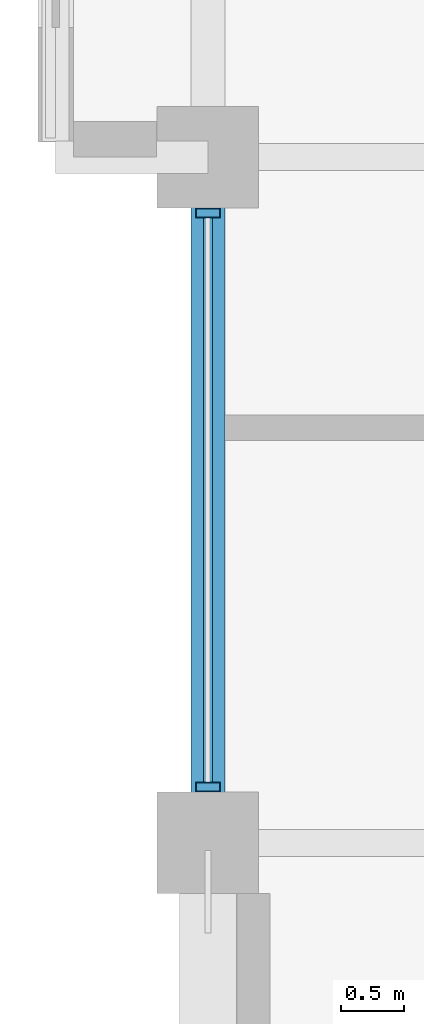
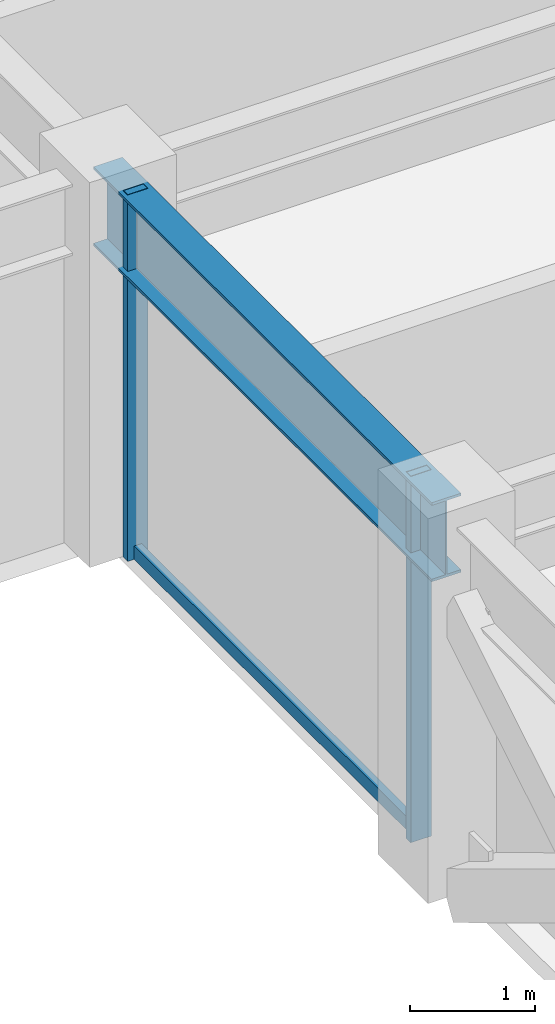
# One storey, part 4 of 30: 3 members, 1 beam, 1 element without a shape of its own.
"""IFC4 building model written with IfcOpenShell, lengths in metres."""

from ifc_helpers import new_model, si_unit, direction, frame, origin, origin_2d, place, context, subcontext, project, spatial, hollow_rectangle, i_section, extrude, material, layer, layer_set, material_profile, profile_set, type_object, element, aggregate, save


model = new_model("IFC4")

# Units and contexts
model_context = context("Model", 3, precision=1e-05, world=origin(), true_north=direction((0.0, 1.0)))
body_context = subcontext(model_context, "Body", "Model", "MODEL_VIEW")
ifc_project = project(units=[si_unit("LENGTHUNIT", "METRE"), si_unit("AREAUNIT", "SQUARE_METRE"), si_unit("VOLUMEUNIT", "CUBIC_METRE"), si_unit("PLANEANGLEUNIT", "RADIAN"), si_unit("MASSUNIT", "GRAM", prefix="KILO")], contexts=[model_context])

# Site, building, storey
site_placement = place(None, origin())
site = spatial("IfcSite", under=ifc_project, at=site_placement, CompositionType="ELEMENT")
building_placement = place(site_placement, origin())
building = spatial("IfcBuilding", under=site, at=building_placement, Name="Surkhivell Harbour Commons", CompositionType="ELEMENT")
storey_placement = place(building_placement, frame((0.0, 0.0, 227.25)))
storey = spatial("IfcBuildingStorey", under=building, at=storey_placement, Name="L59", CompositionType="ELEMENT", Elevation=227.25)

# Beam
ifc_material_1 = material(Name="Steel S355", Category="steel")
ifc_material_profile_1 = material_profile(ifc_material_1, i_section(OverallWidth=0.26806640625, OverallDepth=0.77001953125, WebThickness=0.015625, FlangeThickness=0.025390625, at=origin_2d()), Name="UB762x267x197")
ifc_profile_set_1 = profile_set([ifc_material_profile_1], Name="Steel S355")
beam_type = type_object("IfcBeamType", Name="BM-SPN-762", PredefinedType="SPANDREL", material=ifc_profile_set_1)
beam_placement = place(storey_placement, frame((-27.0, -10.800048828125, 3.18505859375), z_axis=(0.0, 1.0, 0.0), x_axis=(-1.0, 0.0, 0.0)))
element("IfcBeam", 1, at=beam_placement, inside=storey, type_object=beam_type, Name="L59 Tube Spandrel (-27.0,-10.8)", PredefinedType="SPANDREL", context=body_context, shape_type="SweptSolid", body=[
    extrude(i_section(OverallWidth=0.26806640625, OverallDepth=0.77001953125, WebThickness=0.015625, FlangeThickness=0.025390625, at=origin_2d()), origin(), (0.0, 0.0, 1.0), 5.400146484375),
])

# Curtain wall, members
ifc_material_2 = material(Name="Anodised pale-metal aluminium and insulated glazing", Category="aluminium")
ifc_layer = layer(ifc_material_2, 0.18994140625)
ifc_layer_set = layer_set([ifc_layer], Name="Anodised pale-metal aluminium and insulated glazing")
curtain_wall_type = type_object("IfcCurtainWallType", Name="CW-SYS-Z3", PredefinedType="NOTDEFINED", material=ifc_layer_set)
curtain_wall_placement = place(storey_placement, origin())
curtain_wall = element("IfcCurtainWall", 2, at=curtain_wall_placement, inside=storey, type_object=curtain_wall_type, Name="L59 Curtain Wall CW-L59-E12R1S1", PredefinedType="NOTDEFINED")
ifc_material_3 = material(Name="Anodised pale-metal aluminium alloy 6063-T6", Category="aluminium")
ifc_material_profile_2 = material_profile(ifc_material_3, hollow_rectangle(XDim=0.074951171875, YDim=0.18994140625, WallThickness=0.00390625, at=origin_2d()), Name="ALU-MULL-75x190")
ifc_profile_set_2 = profile_set([ifc_material_profile_2], Name="Anodised pale-metal aluminium alloy 6063-T6")
member_type_1 = type_object("IfcMemberType", Name="CWM-190", PredefinedType="MULLION", material=ifc_profile_set_2)
member_1_placement = place(storey_placement, frame((-27.0, -10.360595703125, 0.0), z_axis=(0.0, 0.0, 1.0), x_axis=(0.0, 1.0, 0.0)))
member_1 = element("IfcMember", 3, at=member_1_placement, type_object=member_type_1, Name="CW-Z3 mullion 1", PredefinedType="MULLION", context=body_context, shape_type="SweptSolid", body=[
    extrude(hollow_rectangle(XDim=0.074951171875, YDim=0.18994140625, WallThickness=0.00390625, at=origin_2d()), origin(), (0.0, 0.0, 1.0), 3.570068359375),
])
member_2_placement = place(storey_placement, frame((-27.0, -5.839599609375, 0.0), z_axis=(0.0, 0.0, 1.0), x_axis=(0.0, 1.0, 0.0)))
member_2 = element("IfcMember", 4, at=member_2_placement, type_object=member_type_1, Name="CW-Z3 mullion 2", PredefinedType="MULLION", context=body_context, shape_type="SweptSolid", body=[
    extrude(hollow_rectangle(XDim=0.074951171875, YDim=0.18994140625, WallThickness=0.00390625, at=origin_2d()), origin(), (0.0, 0.0, 1.0), 3.570068359375),
])
ifc_material_4 = material(Name="Champagne anodised aluminium alloy 6063-T6", Category="aluminium")
ifc_material_profile_3 = material_profile(ifc_material_4, hollow_rectangle(XDim=0.070068359375, YDim=0.1298828125, WallThickness=0.00341796875, at=origin_2d()), Name="ALU-TRAN-70x130")
ifc_profile_set_3 = profile_set([ifc_material_profile_3], Name="Champagne anodised aluminium alloy 6063-T6")
member_type_2 = type_object("IfcMemberType", Name="CWT-130", PredefinedType="USERDEFINED", material=ifc_profile_set_3)
member_3_placement = place(storey_placement, frame((-27.0, -10.322998046875, 0.06494140625), z_axis=(0.0, 1.0, 0.0), x_axis=(-1.0, 0.0, 0.0)))
member_3 = element("IfcMember", 5, at=member_3_placement, type_object=member_type_2, Name="CW-Z3 transom 1.1", ObjectType="TRANSOM", PredefinedType="USERDEFINED", context=body_context, shape_type="SweptSolid", body=[
    extrude(hollow_rectangle(XDim=0.070068359375, YDim=0.1298828125, WallThickness=0.00341796875, at=origin_2d()), origin(), (0.0, 0.0, 1.0), 4.446044921875),
])
aggregate(curtain_wall, [member_1, member_2, member_3])

save(model, "model.ifc")
